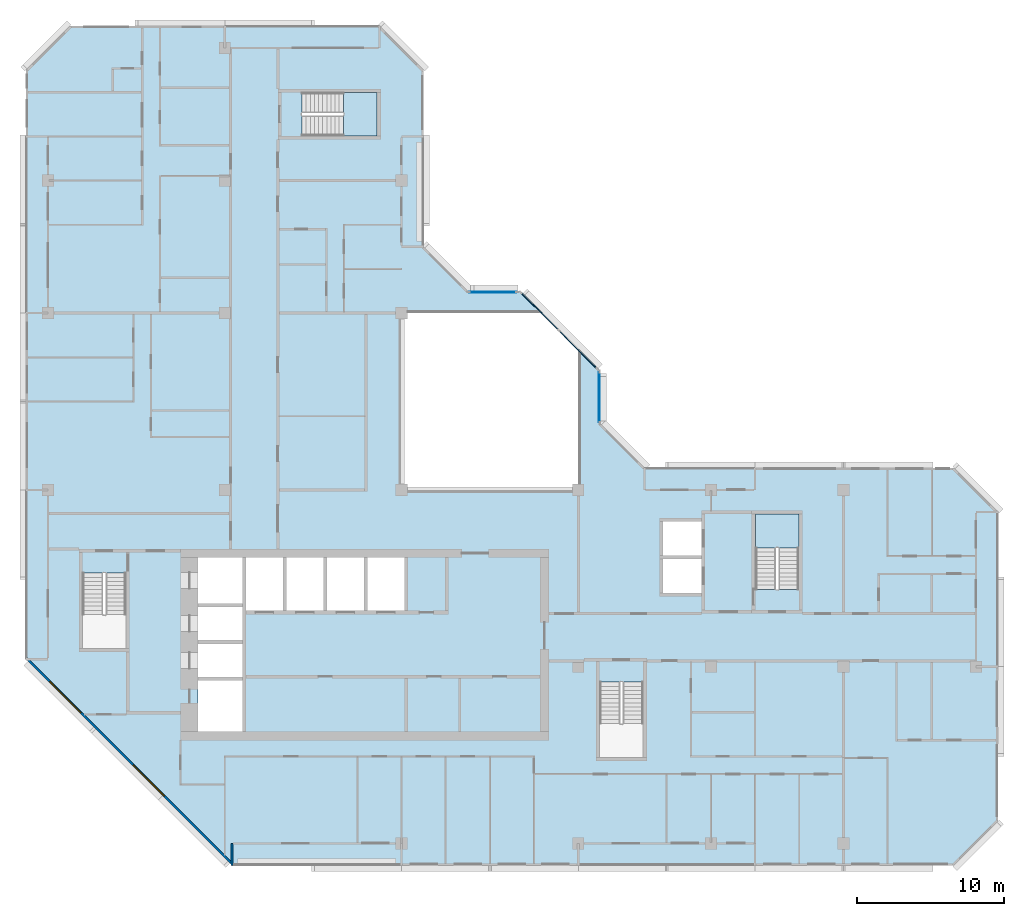
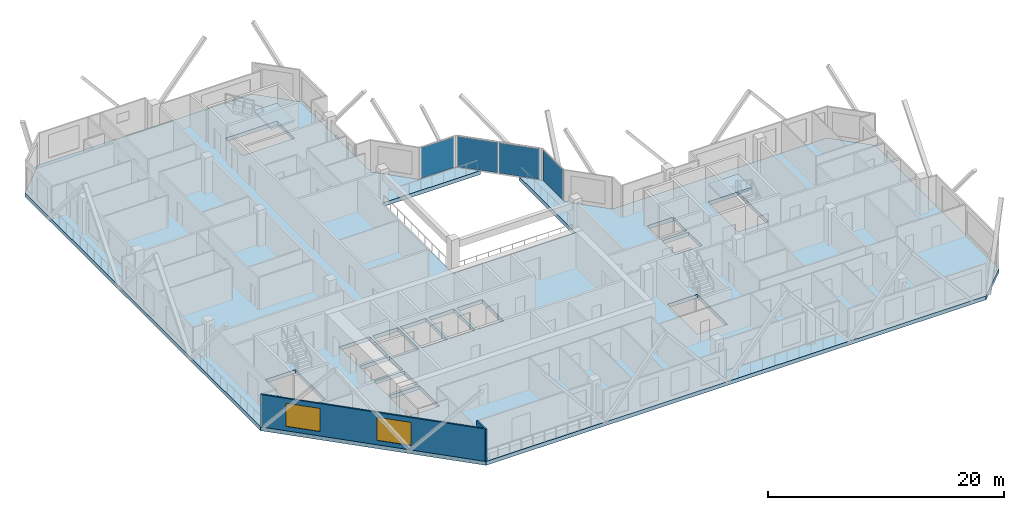
# One storey, part 3 of 13: 4 plates, 3 slabs, 2 walls, 2 windows, 2 openings, 5 elements without a shape of their own.
"""IFC4 building model written with IfcOpenShell, lengths in metres."""

from ifc_helpers import new_model, si_unit, direction, frame, frame_2d, origin, origin_2d, place, context, subcontext, project, spatial, polyline, rectangle, outline, extrude, material, layer, layer_set, type_object, element, fill, aggregate, save


model = new_model("IFC4")

# Units and contexts
model_context = context("Model", 3, precision=1e-05, world=origin(), true_north=direction((0.0, 1.0)))
body_context = subcontext(model_context, "Body", "Model", "MODEL_VIEW")
ifc_project = project(units=[si_unit("LENGTHUNIT", "METRE"), si_unit("AREAUNIT", "SQUARE_METRE"), si_unit("VOLUMEUNIT", "CUBIC_METRE"), si_unit("PLANEANGLEUNIT", "RADIAN"), si_unit("MASSUNIT", "GRAM", prefix="KILO")], contexts=[model_context])

# Site, building, storey
site_placement = place(None, origin())
site = spatial("IfcSite", under=ifc_project, at=site_placement, CompositionType="ELEMENT")
building_placement = place(site_placement, origin())
building = spatial("IfcBuilding", under=site, at=building_placement, Name="Chenar Terraces", CompositionType="ELEMENT")
storey_placement = place(building_placement, frame((0.0, 0.0, 280.89990234375)))
storey = spatial("IfcBuildingStorey", under=building, at=storey_placement, Name="L65", CompositionType="ELEMENT", Elevation=280.89990234375)

# Curtain wall, plate
ifc_material_1 = material(Name="Aluminium framed glazing", Category="aluminium")
ifc_layer_1 = layer(ifc_material_1, 0.14990234375)
ifc_layer_set_1 = layer_set([ifc_layer_1], Name="Aluminium framed glazing")
curtain_wall_type = type_object("IfcCurtainWallType", Name="Atrium upper-zone curtain wall", PredefinedType="NOTDEFINED", material=ifc_layer_set_1)
placement_1 = place(storey_placement, origin())
curtain_wall_1 = element("IfcCurtainWall", 1, at=placement_1, inside=storey, type_object=curtain_wall_type, Name="Atrium upper-zone curtain wall", PredefinedType="NOTDEFINED")
ifc_material_2 = material(Name="Low emissivity laminated glass, solar control coating", Category="glass")
ifc_layer_2 = layer(ifc_material_2, 0.050048828125)
ifc_layer_set_2 = layer_set([ifc_layer_2], Name="Low emissivity laminated glass, solar control coating")
plate_type = type_object("IfcPlateType", Name="Atrium upper-zone glazing panel 50", PredefinedType="CURTAIN_PANEL", material=ifc_layer_set_2)
plate_1_placement = place(storey_placement, frame((37.425048828125, 30.300048828125, 0.10009765625), z_axis=(0.0, 0.0, 1.0), x_axis=(0.0, 1.0, 0.0)))
plate_1 = element("IfcPlate", 2, at=plate_1_placement, type_object=plate_type, Name="CW8-1 panel 1.1", PredefinedType="CURTAIN_PANEL", context=body_context, shape_type="SweptSolid", body=[
    extrude(rectangle(XDim=3.39990234375, YDim=0.050048828125, at=origin_2d()), origin(), (0.0, 0.0, 1.0), 3.14990234375),
])
aggregate(curtain_wall_1, [plate_1])

# Curtain wall, plates
curtain_wall_2 = element("IfcCurtainWall", 3, at=placement_1, inside=storey, type_object=curtain_wall_type, Name="Atrium upper-zone curtain wall", PredefinedType="NOTDEFINED")
plate_2_placement = place(storey_placement, frame((35.97314453125, 33.520751953125, 0.10009765625), z_axis=(0.0, 0.0, 1.0), x_axis=(-0.707106781187, 0.707106781187, 0.0)))
plate_2 = element("IfcPlate", 4, at=plate_2_placement, type_object=plate_type, Name="CW8-2 panel 1.1", PredefinedType="CURTAIN_PANEL", context=body_context, shape_type="SweptSolid", body=[
    extrude(rectangle(XDim=3.568359375, YDim=0.050048828125, at=origin_2d()), origin(), (0.0, 0.0, 1.0), 3.14990234375),
])
plate_3_placement = place(storey_placement, frame((33.379150390625, 36.11474609375, 0.10009765625), z_axis=(0.0, 0.0, 1.0), x_axis=(-0.707106781187, 0.707106781187, 0.0)))
plate_3 = element("IfcPlate", 5, at=plate_3_placement, type_object=plate_type, Name="CW8-2 panel 2.1", PredefinedType="CURTAIN_PANEL", context=body_context, shape_type="SweptSolid", body=[
    extrude(rectangle(XDim=3.568359375, YDim=0.050048828125, at=origin_2d()), origin(), (0.0, 0.0, 1.0), 3.14990234375),
])
aggregate(curtain_wall_2, [plate_2, plate_3])

# Curtain wall, plate
curtain_wall_3 = element("IfcCurtainWall", 6, at=placement_1, inside=storey, type_object=curtain_wall_type, Name="Atrium upper-zone curtain wall", PredefinedType="NOTDEFINED")
plate_4_placement = place(storey_placement, frame((30.199951171875, 37.425048828125, 0.10009765625), z_axis=(0.0, 0.0, 1.0), x_axis=(-1.0, 0.0, 0.0)))
plate_4 = element("IfcPlate", 7, at=plate_4_placement, type_object=plate_type, Name="CW8-3 panel 1.1", PredefinedType="CURTAIN_PANEL", context=body_context, shape_type="SweptSolid", body=[
    extrude(rectangle(XDim=3.199951171875, YDim=0.050048828125, at=origin_2d()), origin(), (0.0, 0.0, 1.0), 3.14990234375),
])
aggregate(curtain_wall_3, [plate_4])

# Stair, slab
ifc_material_3 = material(Name="Reinforced concrete C40/50", Category="concrete")
stair_type = type_object("IfcStairType", Name="Core stair 1400 half-turn", PredefinedType="HALF_TURN_STAIR", material=ifc_material_3)
stair_1 = element("IfcStair", 8, at=placement_1, inside=storey, type_object=stair_type, Name="L65 Stair 3", PredefinedType="HALF_TURN_STAIR")
ifc_material_4 = material(Name="Reinforced concrete C40/50", Category="concrete")
ifc_layer_3 = layer(ifc_material_4, 0.199951171875)
ifc_layer_set_3 = layer_set([ifc_layer_3], Name="Reinforced concrete C40/50")
slab_type_1 = type_object("IfcSlabType", Name="Core stair landing 200", PredefinedType="LANDING", material=ifc_layer_set_3)
placement_2 = place(storey_placement, frame((0.0, 0.0, 1.675048828125)))
slab_1 = element("IfcSlab", 9, at=placement_2, type_object=slab_type_1, Name="ST3 landing 1", PredefinedType="LANDING", context=body_context, shape_type="SweptSolid", body=[
    extrude(outline(polyline([(50.97509765625, 20.050048828125), (50.97509765625, 22.35009765625), (48.02490234375, 22.35009765625), (48.02490234375, 20.050048828125), (50.97509765625, 20.050048828125)])), origin(), (0.0, 0.0, 1.0), 0.199951171875),
])
aggregate(stair_1, [slab_1])

stair_2 = element("IfcStair", 10, at=placement_1, inside=storey, type_object=stair_type, Name="L65 Stair 4", PredefinedType="HALF_TURN_STAIR")
slab_2 = element("IfcSlab", 11, at=placement_2, type_object=slab_type_1, Name="ST4 landing 1", PredefinedType="LANDING", context=body_context, shape_type="SweptSolid", body=[
    extrude(outline(polyline([(20.050048828125, 48.02490234375), (22.35009765625, 48.02490234375), (22.35009765625, 50.97509765625), (20.050048828125, 50.97509765625), (20.050048828125, 48.02490234375)])), origin(), (0.0, 0.0, 1.0), 0.199951171875),
])
aggregate(stair_2, [slab_2])

# Slab
ifc_material_5 = material(Name="Concrete C40/50", Category="concrete")
ifc_layer_4 = layer(ifc_material_5, 0.39990234375)
ifc_layer_set_4 = layer_set([ifc_layer_4], Name="Concrete C40/50")
slab_type_2 = type_object("IfcSlabType", Name="Floor slab 400 Concrete C40/50", PredefinedType="FLOOR", material=ifc_layer_set_4)
slab_3_placement = place(storey_placement, frame((0.0, 0.0, -0.39990234375)))
element("IfcSlab", 12, at=slab_3_placement, inside=storey, type_object=slab_type_2, Name="Floor slab L65", PredefinedType="FLOOR", context=body_context, shape_type="SweptSolid", body=[
    extrude(outline(polyline([(64.5, 22.5), (64.5, 1.5), (61.5, -1.5), (12.5, -1.5), (-1.5, 12.5), (-1.5, 52.5), (1.5, 55.5), (22.5, 55.5), (25.5, 52.5), (25.5, 40.5), (28.5, 37.5), (32.10009765625, 37.5), (33.60009765625, 36.0), (24.0, 36.0), (24.0, 24.0), (36.0, 24.0), (36.0, 33.60009765625), (37.5, 32.10009765625), (37.5, 28.5), (40.5, 25.5), (61.5, 25.5), (64.5, 22.5)]), holes=[polyline([(10.199951171875, 11.050048828125), (10.199951171875, 7.60009765625), (13.199951171875, 7.60009765625), (13.199951171875, 11.050048828125), (10.199951171875, 11.050048828125)]), polyline([(13.199951171875, 13.550048828125), (10.199951171875, 13.550048828125), (10.199951171875, 11.300048828125), (13.199951171875, 11.300048828125), (13.199951171875, 13.550048828125)]), polyline([(13.199951171875, 16.050048828125), (10.199951171875, 16.050048828125), (10.199951171875, 13.800048828125), (13.199951171875, 13.800048828125), (13.199951171875, 16.050048828125)]), polyline([(2.35009765625, 13.25), (5.300048828125, 13.25), (5.300048828125, 18.35009765625), (2.35009765625, 18.35009765625), (2.35009765625, 13.25)]), polyline([(15.949951171875, 19.39990234375), (13.449951171875, 19.39990234375), (13.449951171875, 15.800048828125), (15.949951171875, 15.800048828125), (15.949951171875, 19.39990234375)]), polyline([(18.699951171875, 19.39990234375), (16.199951171875, 19.39990234375), (16.199951171875, 15.800048828125), (18.699951171875, 15.800048828125), (18.699951171875, 19.39990234375)]), polyline([(13.199951171875, 19.39990234375), (10.199951171875, 19.39990234375), (10.199951171875, 16.300048828125), (13.199951171875, 16.300048828125), (13.199951171875, 19.39990234375)]), polyline([(22.35009765625, 48.02490234375), (22.35009765625, 50.97509765625), (17.25, 50.97509765625), (17.25, 48.02490234375), (22.35009765625, 48.02490234375)]), polyline([(37.449951171875, 5.85009765625), (40.39990234375, 5.85009765625), (40.39990234375, 10.949951171875), (37.449951171875, 10.949951171875), (37.449951171875, 5.85009765625)]), polyline([(21.449951171875, 19.39990234375), (18.949951171875, 19.39990234375), (18.949951171875, 15.800048828125), (21.449951171875, 15.800048828125), (21.449951171875, 19.39990234375)]), polyline([(24.199951171875, 19.39990234375), (21.699951171875, 19.39990234375), (21.699951171875, 15.800048828125), (24.199951171875, 15.800048828125), (24.199951171875, 19.39990234375)]), polyline([(44.35009765625, 19.300048828125), (41.75, 19.300048828125), (41.75, 17.0), (44.35009765625, 17.0), (44.35009765625, 19.300048828125)]), polyline([(50.97509765625, 22.35009765625), (48.02490234375, 22.35009765625), (48.02490234375, 17.25), (50.97509765625, 17.25), (50.97509765625, 22.35009765625)]), polyline([(44.35009765625, 21.85009765625), (41.75, 21.85009765625), (41.75, 19.550048828125), (44.35009765625, 19.550048828125), (44.35009765625, 21.85009765625)])]), origin(), (0.0, 0.0, 1.0), 0.39990234375),
])

# Wall
ifc_material_6 = material(Name="Terracotta cladding on insulated backing", Category="masonry")
ifc_layer_5 = layer(ifc_material_6, 0.14990234375)
ifc_layer_set_5 = layer_set([ifc_layer_5], Name="Terracotta cladding on insulated backing")
wall_type_1 = type_object("IfcWallType", Name="Loggia return wall 150", PredefinedType="SOLIDWALL", material=ifc_layer_set_5)
wall_1_placement = place(storey_placement, frame((12.5, -1.5, 0.0), z_axis=(0.0, 0.0, 1.0), x_axis=(0.0, 1.0, 0.0)))
element("IfcWall", 13, at=wall_1_placement, inside=storey, type_object=wall_type_1, Name="Loggia return wall", PredefinedType="SOLIDWALL", context=body_context, shape_type="SweptSolid", body=[
    extrude(rectangle(XDim=1.5, YDim=0.14990234375, at=frame_2d((0.75, 0.0))), origin(), (0.0, 0.0, 1.0), 3.35009765625),
])

# Wall, openings, windows
ifc_material_7 = material(Name="Terracotta cladding on insulated backing", Category="masonry")
ifc_layer_6 = layer(ifc_material_7, 0.14990234375)
ifc_layer_set_6 = layer_set([ifc_layer_6], Name="Terracotta cladding on insulated backing")
wall_type_2 = type_object("IfcWallType", Name="Terracotta rainscreen wall 150", PredefinedType="SOLIDWALL", material=ifc_layer_set_6)
wall_2_placement = place(storey_placement, frame((-1.447021484375, 12.552978515625, 0.0), z_axis=(0.0, 0.0, 1.0), x_axis=(0.707106781187, -0.707106781187, 0.0)))
wall_2 = element("IfcWall", 14, at=wall_2_placement, inside=storey, type_object=wall_type_2, Name="Terracotta rainscreen wall", PredefinedType="SOLIDWALL", context=body_context, shape_type="SweptSolid", body=[
    extrude(rectangle(XDim=19.799072265625, YDim=0.14990234375, at=frame_2d((9.8994140625, 0.0))), origin(), (0.0, 0.0, 1.0), 3.35009765625),
])
opening_1_placement = place(wall_2_placement, frame((2.21240234375, 0.0, 0.449951171875)))
opening_1 = element("IfcOpeningElement", 15, at=opening_1_placement, cuts=wall_2, Name="Opening W300x240", PredefinedType="OPENING", context=body_context, shape_type="SweptSolid", body=[
    extrude(rectangle(XDim=3.0, YDim=2.39990234375, at=frame_2d((1.5, 1.199951171875))), frame((0.0, 0.0849609375, 0.0), z_axis=(0.0, -1.0, 0.0), x_axis=(1.0, 0.0, 0.0)), (0.0, 0.0, 1.0), 0.169921875),
])
opening_2_placement = place(wall_2_placement, frame((10.215576171875, 0.0, 0.449951171875)))
opening_2 = element("IfcOpeningElement", 16, at=opening_2_placement, cuts=wall_2, Name="Opening W300x240", PredefinedType="OPENING", context=body_context, shape_type="SweptSolid", body=[
    extrude(rectangle(XDim=3.0, YDim=2.39990234375, at=frame_2d((1.5, 1.199951171875))), frame((0.0, 0.0849609375, 0.0), z_axis=(0.0, -1.0, 0.0), x_axis=(1.0, 0.0, 0.0)), (0.0, 0.0, 1.0), 0.169921875),
])
ifc_material_8 = material(Name="Low emissivity double glazing, aluminium frame", Category="aluminium")
window_type = type_object("IfcWindowType", Name="Fixed light 3000 x 2400", PartitioningType="SINGLE_PANEL", PredefinedType="WINDOW", material=ifc_material_8)
window_1_placement = place(opening_1_placement, origin())
window_1 = element("IfcWindow", 17, at=window_1_placement, inside=storey, type_object=window_type, Name="Window", OverallHeight=2.39990234375, OverallWidth=3.0, PartitioningType="SINGLE_PANEL", PredefinedType="WINDOW", context=body_context, shape_type="SweptSolid", body=[
    extrude(rectangle(XDim=3.0, YDim=2.39990234375, at=frame_2d((1.5, 1.199951171875))), frame((0.0, 0.030029296875, 0.0), z_axis=(0.0, -1.0, 0.0), x_axis=(1.0, 0.0, 0.0)), (0.0, 0.0, 1.0), 0.06005859375),
])
fill(opening_1, window_1)
window_2_placement = place(opening_2_placement, origin())
window_2 = element("IfcWindow", 18, at=window_2_placement, inside=storey, type_object=window_type, Name="Window", OverallHeight=2.39990234375, OverallWidth=3.0, PartitioningType="SINGLE_PANEL", PredefinedType="WINDOW", context=body_context, shape_type="SweptSolid", body=[
    extrude(rectangle(XDim=3.0, YDim=2.39990234375, at=frame_2d((1.5, 1.199951171875))), frame((0.0, 0.030029296875, 0.0), z_axis=(0.0, -1.0, 0.0), x_axis=(1.0, 0.0, 0.0)), (0.0, 0.0, 1.0), 0.06005859375),
])
fill(opening_2, window_2)

save(model, "model.ifc")
